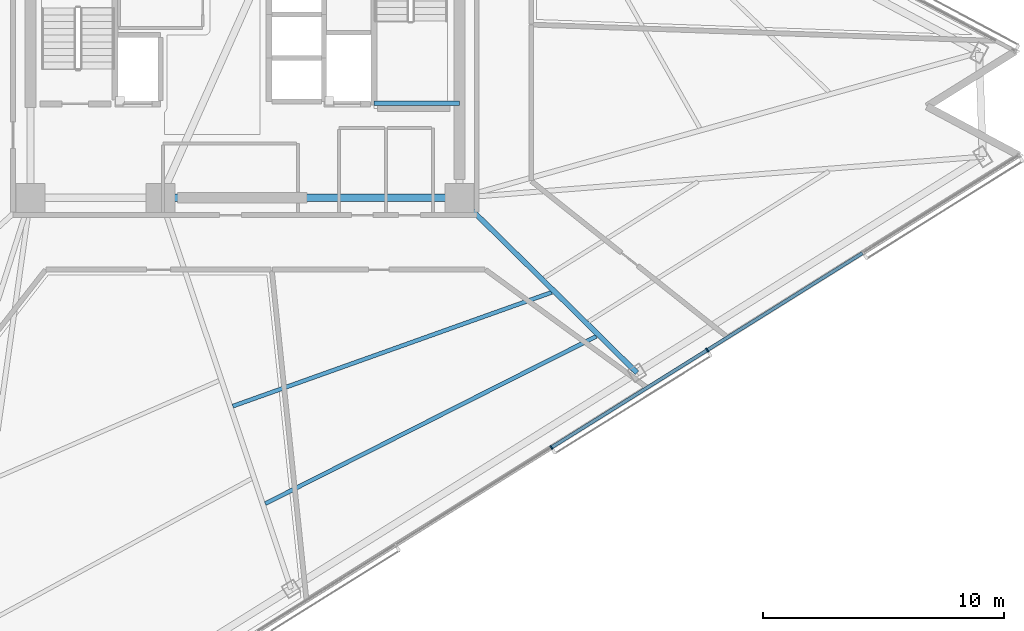
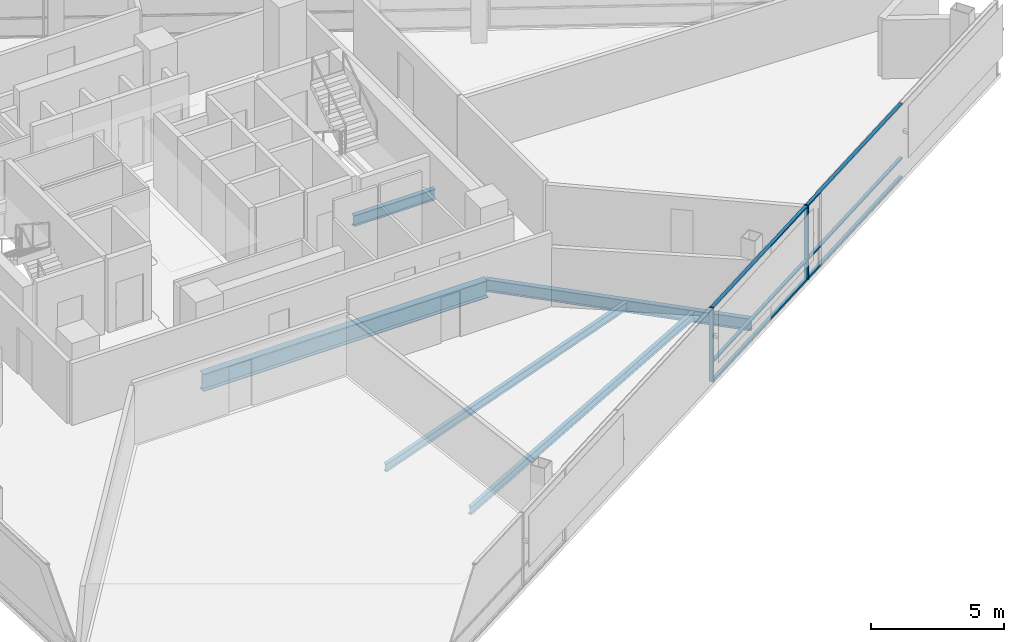
# One storey, part 5 of 20: 8 members, 5 beams, 1 element without a shape of its own.
"""IFC4 building model written with IfcOpenShell, lengths in metres."""

from ifc_helpers import new_model, si_unit, direction, frame, origin, origin_2d, place, context, subcontext, project, spatial, rectangle, i_section, extrude, material, layer, layer_set, material_profile, profile_set, type_object, element, aggregate, save


model = new_model("IFC4")

# Units and contexts
model_context = context("Model", 3, precision=1e-05, world=origin(), true_north=direction((0.0, 1.0)))
body_context = subcontext(model_context, "Body", "Model", "MODEL_VIEW")
ifc_project = project(units=[si_unit("LENGTHUNIT", "METRE"), si_unit("AREAUNIT", "SQUARE_METRE"), si_unit("VOLUMEUNIT", "CUBIC_METRE"), si_unit("PLANEANGLEUNIT", "RADIAN"), si_unit("MASSUNIT", "GRAM", prefix="KILO")], contexts=[model_context])

# Site, building, storey
site_placement = place(None, origin())
site = spatial("IfcSite", under=ifc_project, at=site_placement, CompositionType="ELEMENT")
building_placement = place(site_placement, origin())
building = spatial("IfcBuilding", under=site, at=building_placement, Name="Tharavind Bronze Gate", CompositionType="ELEMENT")
storey_placement = place(building_placement, frame((0.0, 0.0, 146.0)))
storey = spatial("IfcBuildingStorey", under=building, at=storey_placement, Name="L37", CompositionType="ELEMENT", Elevation=146.0)

# Curtain wall, members
ifc_material_1 = material(Name="Anodised Bronze Aluminium", Category="aluminium")
ifc_layer = layer(ifc_material_1, 0.219970703125)
ifc_layer_set = layer_set([ifc_layer], Name="Anodised Bronze Aluminium")
curtain_wall_type = type_object("IfcCurtainWallType", Name="UNITISED CURTAIN WALL MID OFFICE", PredefinedType="USERDEFINED", material=ifc_layer_set)
curtain_wall_placement = place(storey_placement, origin())
curtain_wall = element("IfcCurtainWall", 1, at=curtain_wall_placement, inside=storey, type_object=curtain_wall_type, Name="L37 unitised curtain wall mid office CW-L37-S2", ObjectType="UNITISED CURTAIN WALL", PredefinedType="USERDEFINED")
member_type_1 = type_object("IfcMemberType", Name="CURTAIN WALL BRONZE MULLION 65X180", PredefinedType="MULLION", material=ifc_material_1)
member_1_placement = place(storey_placement, frame((12.71826171875, -17.960205078125, 0.0), z_axis=(0.0, 0.0, 1.0), x_axis=(0.848048096156, 0.529919264233, 0.0)))
member_1 = element("IfcMember", 2, at=member_1_placement, type_object=member_type_1, Name="CW-L37-S2 mullion 5", PredefinedType="MULLION", context=body_context, shape_type="SweptSolid", body=[
    extrude(rectangle(XDim=0.06494140625, YDim=0.179931640625, at=origin_2d()), origin(), (0.0, 0.0, 1.0), 3.409912109375),
])
member_2_placement = place(storey_placement, frame((19.18359375, -13.919921875, 0.0), z_axis=(0.0, 0.0, 1.0), x_axis=(0.848048096156, 0.529919264233, 0.0)))
member_2 = element("IfcMember", 3, at=member_2_placement, type_object=member_type_1, Name="CW-L37-S2 mullion 6", PredefinedType="MULLION", context=body_context, shape_type="SweptSolid", body=[
    extrude(rectangle(XDim=0.06494140625, YDim=0.179931640625, at=origin_2d()), origin(), (0.0, 0.0, 1.0), 3.409912109375),
])
member_type_2 = type_object("IfcMemberType", Name="CURTAIN WALL BRONZE TRANSOM 65X140", PredefinedType="USERDEFINED", material=ifc_material_1)
member_3_placement = place(storey_placement, frame((15.950927734375, -15.93994140625, 0.0), z_axis=(0.0, 0.0, 1.0), x_axis=(0.848048096156, 0.529919264233, 0.0)))
member_3 = element("IfcMember", 4, at=member_3_placement, type_object=member_type_2, Name="CW-L37-S2 transom TB5", ObjectType="TRANSOM", PredefinedType="USERDEFINED", context=body_context, shape_type="SweptSolid", body=[
    extrude(rectangle(XDim=7.57080078125, YDim=0.139892578125, at=origin_2d()), origin(), (0.0, 0.0, 1.0), 0.06494140625),
])
member_4_placement = place(storey_placement, frame((15.950927734375, -15.93994140625, 0.867431640625), z_axis=(0.0, 0.0, 1.0), x_axis=(0.848048096156, 0.529919264233, 0.0)))
member_4 = element("IfcMember", 5, at=member_4_placement, type_object=member_type_2, Name="CW-L37-S2 transom TS5", ObjectType="TRANSOM", PredefinedType="USERDEFINED", context=body_context, shape_type="SweptSolid", body=[
    extrude(rectangle(XDim=7.57080078125, YDim=0.139892578125, at=origin_2d()), origin(), (0.0, 0.0, 1.0), 0.06494140625),
])
member_5_placement = place(storey_placement, frame((15.950927734375, -15.93994140625, 3.344970703125), z_axis=(0.0, 0.0, 1.0), x_axis=(0.848048096156, 0.529919264233, 0.0)))
member_5 = element("IfcMember", 6, at=member_5_placement, type_object=member_type_2, Name="CW-L37-S2 transom TT5", ObjectType="TRANSOM", PredefinedType="USERDEFINED", context=body_context, shape_type="SweptSolid", body=[
    extrude(rectangle(XDim=7.57080078125, YDim=0.139892578125, at=origin_2d()), origin(), (0.0, 0.0, 1.0), 0.06494140625),
])
member_6_placement = place(storey_placement, frame((22.41650390625, -11.89990234375, 0.0), z_axis=(0.0, 0.0, 1.0), x_axis=(0.848048096156, 0.529919264233, 0.0)))
member_6 = element("IfcMember", 7, at=member_6_placement, type_object=member_type_2, Name="CW-L37-S2 transom TB6", ObjectType="TRANSOM", PredefinedType="USERDEFINED", context=body_context, shape_type="SweptSolid", body=[
    extrude(rectangle(XDim=7.57080078125, YDim=0.139892578125, at=origin_2d()), origin(), (0.0, 0.0, 1.0), 0.06494140625),
])
member_7_placement = place(storey_placement, frame((22.41650390625, -11.89990234375, 0.867431640625), z_axis=(0.0, 0.0, 1.0), x_axis=(0.848048096156, 0.529919264233, 0.0)))
member_7 = element("IfcMember", 8, at=member_7_placement, type_object=member_type_2, Name="CW-L37-S2 transom TS6", ObjectType="TRANSOM", PredefinedType="USERDEFINED", context=body_context, shape_type="SweptSolid", body=[
    extrude(rectangle(XDim=7.57080078125, YDim=0.139892578125, at=origin_2d()), origin(), (0.0, 0.0, 1.0), 0.06494140625),
])
member_8_placement = place(storey_placement, frame((22.41650390625, -11.89990234375, 3.344970703125), z_axis=(0.0, 0.0, 1.0), x_axis=(0.848048096156, 0.529919264233, 0.0)))
member_8 = element("IfcMember", 9, at=member_8_placement, type_object=member_type_2, Name="CW-L37-S2 transom TT6", ObjectType="TRANSOM", PredefinedType="USERDEFINED", context=body_context, shape_type="SweptSolid", body=[
    extrude(rectangle(XDim=7.57080078125, YDim=0.139892578125, at=origin_2d()), origin(), (0.0, 0.0, 1.0), 0.06494140625),
])
aggregate(curtain_wall, [member_1, member_2, member_3, member_4, member_5, member_6, member_7, member_8])

# Beams
ifc_material_2 = material(Name="Steel S355", Category="steel")
ifc_material_profile_1 = material_profile(ifc_material_2, i_section(OverallWidth=0.199951171875, OverallDepth=0.5, WebThickness=0.01025390625, FlangeThickness=0.01611328125, at=origin_2d()), Name="IPE500")
ifc_profile_set_1 = profile_set([ifc_material_profile_1], Name="Steel S355")
beam_type_1 = type_object("IfcBeamType", Name="PRIMARY GIRDER IPE500", PredefinedType="USERDEFINED", material=ifc_profile_set_1)
beam_1_placement = place(storey_placement, frame((5.35009765625, -3.679931640625, 1.35009765625), z_axis=(1.0, 0.0, 0.0), x_axis=(0.0, 1.0, 0.0)))
element("IfcBeam", 10, at=beam_1_placement, inside=storey, type_object=beam_type_1, Name="L37 primary girder ipe500 BM-LD-ST2-L37-1", ObjectType="GIRDER", PredefinedType="USERDEFINED", context=body_context, shape_type="SweptSolid", body=[
    extrude(i_section(OverallWidth=0.199951171875, OverallDepth=0.5, WebThickness=0.01025390625, FlangeThickness=0.01611328125, at=origin_2d()), origin(), (0.0, 0.0, 1.0), 3.5498046875),
])
ifc_material_profile_2 = material_profile(ifc_material_2, i_section(OverallWidth=0.2099609375, OverallDepth=0.550048828125, WebThickness=0.010986328125, FlangeThickness=0.01708984375, at=origin_2d()), Name="IPE550")
ifc_profile_set_2 = profile_set([ifc_material_profile_2], Name="Steel S355")
beam_type_2 = type_object("IfcBeamType", Name="PRIMARY GIRDER IPE550", PredefinedType="USERDEFINED", material=ifc_profile_set_2)
beam_2_placement = place(storey_placement, frame((16.263916015625, -14.860107421875, -0.465087890625), z_axis=(-0.712117612056, 0.702060187306, 0.0), x_axis=(-0.702060187306, -0.712117612056, 0.0)))
element("IfcBeam", 11, at=beam_2_placement, inside=storey, type_object=beam_type_2, Name="L37 primary girder ipe550 BM-L37-RAD07", ObjectType="GIRDER", PredefinedType="USERDEFINED", context=body_context, shape_type="SweptSolid", body=[
    extrude(i_section(OverallWidth=0.2099609375, OverallDepth=0.550048828125, WebThickness=0.010986328125, FlangeThickness=0.01708984375, at=origin_2d()), origin(), (0.0, 0.0, 1.0), 10.341064453125),
])
ifc_material_profile_3 = material_profile(ifc_material_2, i_section(OverallWidth=0.300048828125, OverallDepth=0.800048828125, WebThickness=0.017578125, FlangeThickness=0.032958984375, at=origin_2d()), Name="HE800B")
ifc_profile_set_3 = profile_set([ifc_material_profile_3], Name="Steel S355")
beam_type_3 = type_object("IfcBeamType", Name="RING GIRDER HE800B", PredefinedType="USERDEFINED", material=ifc_profile_set_3)
beam_3_placement = place(storey_placement, frame((-3.5, -7.60009765625, -0.590087890625), z_axis=(1.0, 0.0, 0.0), x_axis=(0.0, 1.0, 0.0)))
element("IfcBeam", 12, at=beam_3_placement, inside=storey, type_object=beam_type_3, Name="L37 ring girder he800b BM-L37-CR2", ObjectType="GIRDER", PredefinedType="USERDEFINED", context=body_context, shape_type="SweptSolid", body=[
    extrude(i_section(OverallWidth=0.300048828125, OverallDepth=0.800048828125, WebThickness=0.017578125, FlangeThickness=0.032958984375, at=origin_2d()), origin(), (0.0, 0.0, 1.0), 12.39990234375),
])
ifc_material_profile_4 = material_profile(ifc_material_2, i_section(OverallWidth=0.169921875, OverallDepth=0.360107421875, WebThickness=0.008056640625, FlangeThickness=0.0126953125, at=origin_2d()), Name="IPE360")
ifc_profile_set_4 = profile_set([ifc_material_profile_4], Name="Steel S355")
beam_type_4 = type_object("IfcBeamType", Name="SECONDARY FLOOR JOIST IPE360", PredefinedType="JOIST", material=ifc_profile_set_4)
beam_4_placement = place(storey_placement, frame((-0.501708984375, -16.245361328125, -0.3701171875), z_axis=(0.941820934354, 0.336115051156, 0.0), x_axis=(-0.336115051156, 0.941820934354, 0.0)))
element("IfcBeam", 13, at=beam_4_placement, inside=storey, type_object=beam_type_4, Name="L37 secondary floor joist ipe360 BM-L37-JSTA06", PredefinedType="JOIST", context=body_context, shape_type="SweptSolid", body=[
    extrude(i_section(OverallWidth=0.169921875, OverallDepth=0.360107421875, WebThickness=0.008056640625, FlangeThickness=0.0126953125, at=origin_2d()), origin(), (0.0, 0.0, 1.0), 14.044921875),
])
beam_5_placement = place(storey_placement, frame((0.846923828125, -20.289306640625, -0.3701171875), z_axis=(0.89252439558, 0.450999116733, 0.0), x_axis=(-0.450999116733, 0.89252439558, 0.0)))
element("IfcBeam", 14, at=beam_5_placement, inside=storey, type_object=beam_type_4, Name="L37 secondary floor joist ipe360 BM-L37-JSTB06", PredefinedType="JOIST", context=body_context, shape_type="SweptSolid", body=[
    extrude(i_section(OverallWidth=0.169921875, OverallDepth=0.360107421875, WebThickness=0.008056640625, FlangeThickness=0.0126953125, at=origin_2d()), origin(), (0.0, 0.0, 1.0), 15.384765625),
])

save(model, "model.ifc")
